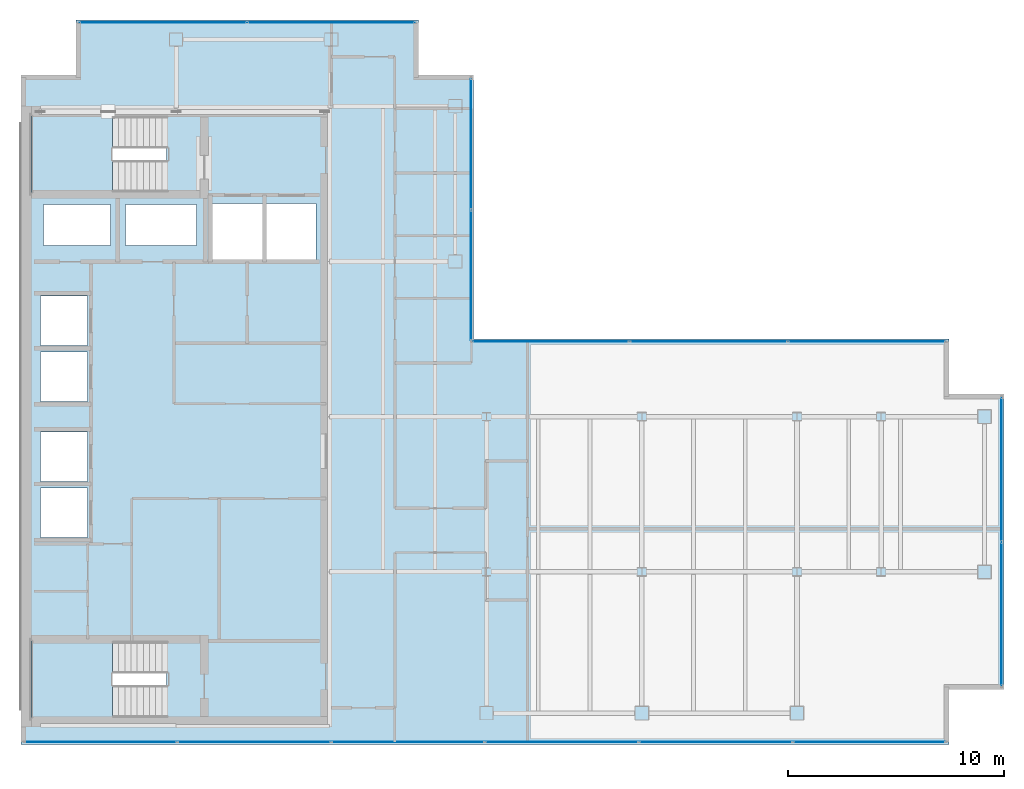
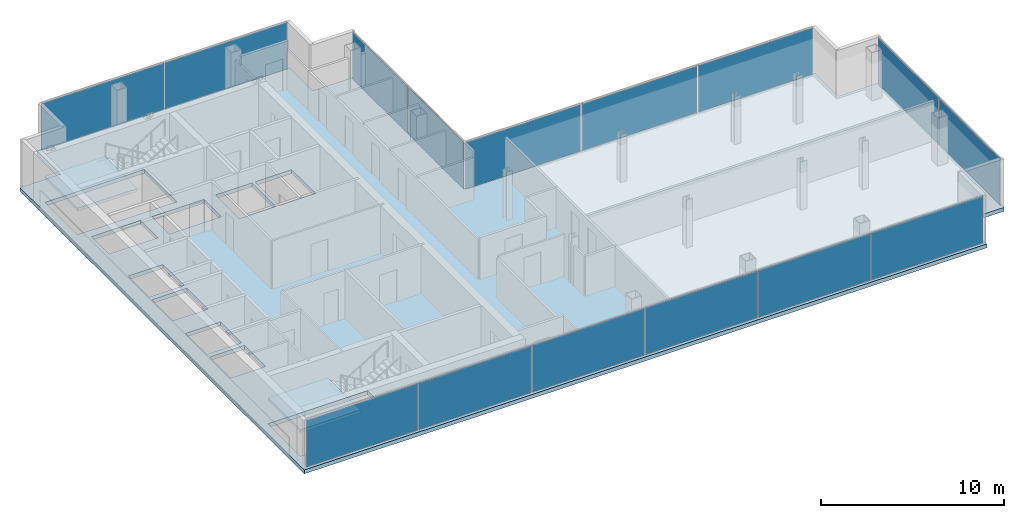
# One storey, part 19 of 23: 15 plates, 3 slabs, 10 openings, 7 elements without a shape of their own.
"""IFC4 building model written with IfcOpenShell, lengths in metres."""

from ifc_helpers import new_model, si_unit, direction, frame, origin, origin_2d, place, context, subcontext, project, spatial, polyline, rectangle, outline, extrude, material, layer, layer_set, type_object, element, aggregate, save


model = new_model("IFC4")

# Units and contexts
model_context = context("Model", 3, precision=1e-05, world=origin(), true_north=direction((0.0, 1.0)))
body_context = subcontext(model_context, "Body", "Model", "MODEL_VIEW")
ifc_project = project(units=[si_unit("LENGTHUNIT", "METRE"), si_unit("AREAUNIT", "SQUARE_METRE"), si_unit("VOLUMEUNIT", "CUBIC_METRE"), si_unit("PLANEANGLEUNIT", "RADIAN"), si_unit("MASSUNIT", "GRAM", prefix="KILO")], contexts=[model_context])

# Site, building, storey
site_placement = place(None, origin())
site = spatial("IfcSite", under=ifc_project, at=site_placement, CompositionType="ELEMENT")
building_placement = place(site_placement, origin())
building = spatial("IfcBuilding", under=site, at=building_placement, Name="Cobrela Telecom Tower", CompositionType="ELEMENT")
storey_placement = place(building_placement, frame((0.0, 0.0, 251.64990234375)))
storey = spatial("IfcBuildingStorey", under=building, at=storey_placement, Name="L65", CompositionType="ELEMENT", Elevation=251.64990234375)

# Curtain wall, plates
ifc_material_1 = material(Name="Anodized Bronze Aluminium 6063-T6", Category="aluminium")
curtain_wall_type = type_object("IfcCurtainWallType", Name="CW-SYS-OFF-HI", PredefinedType="USERDEFINED", material=ifc_material_1)
curtain_wall_1_placement = place(storey_placement, origin())
curtain_wall_1 = element("IfcCurtainWall", 1, at=curtain_wall_1_placement, inside=storey, type_object=curtain_wall_type, Name="L65 Unitised Bronze Curtain Wall 05", ObjectType="UNITISED CURTAIN WALL", PredefinedType="USERDEFINED")
ifc_material_2 = material(Name="Solar-Control Bronze Low-E Glass", Category="glass")
ifc_layer_1 = layer(ifc_material_2, 0.030029296875)
ifc_layer_set_1 = layer_set([ifc_layer_1], Name="Solar-Control Bronze Low-E Glass")
plate_type = type_object("IfcPlateType", Name="CW-SYS-OFF-HI-PNL", PredefinedType="CURTAIN_PANEL", material=ifc_layer_set_1)
plate_1_placement = place(storey_placement, frame((6.6025390625, 39.8798828125, 0.06494140625), z_axis=(0.0, 0.0, 1.0), x_axis=(1.0, 0.0, 0.0)))
plate_1 = element("IfcPlate", 2, at=plate_1_placement, type_object=plate_type, Name="CW-OFF-HI panel 1.1", PredefinedType="CURTAIN_PANEL", context=body_context, shape_type="SweptSolid", body=[
    extrude(rectangle(XDim=7.72509765625, YDim=0.030029296875, at=origin_2d()), origin(), (0.0, 0.0, 1.0), 3.110107421875),
])
plate_2_placement = place(storey_placement, frame((14.3974609375, 39.8798828125, 0.06494140625), z_axis=(0.0, 0.0, 1.0), x_axis=(1.0, 0.0, 0.0)))
plate_2 = element("IfcPlate", 3, at=plate_2_placement, type_object=plate_type, Name="CW-OFF-HI panel 2.1", PredefinedType="CURTAIN_PANEL", context=body_context, shape_type="SweptSolid", body=[
    extrude(rectangle(XDim=7.72509765625, YDim=0.030029296875, at=origin_2d()), origin(), (0.0, 0.0, 1.0), 3.110107421875),
])
aggregate(curtain_wall_1, [plate_1, plate_2])

curtain_wall_2_placement = place(storey_placement, origin())
curtain_wall_2 = element("IfcCurtainWall", 4, at=curtain_wall_2_placement, inside=storey, type_object=curtain_wall_type, Name="L65 Unitised Bronze Curtain Wall 08", ObjectType="UNITISED CURTAIN WALL", PredefinedType="USERDEFINED")
plate_3_placement = place(storey_placement, frame((20.8798828125, 34.25, 0.06494140625), z_axis=(0.0, 0.0, 1.0), x_axis=(0.0, -1.0, 0.0)))
plate_3 = element("IfcPlate", 5, at=plate_3_placement, type_object=plate_type, Name="CW-OFF-HI panel 1.1", PredefinedType="CURTAIN_PANEL", context=body_context, shape_type="SweptSolid", body=[
    extrude(rectangle(XDim=6.02001953125, YDim=0.030029296875, at=origin_2d()), origin(), (0.0, 0.0, 1.0), 3.110107421875),
])
plate_4_placement = place(storey_placement, frame((20.8798828125, 28.159912109375, 0.06494140625), z_axis=(0.0, 0.0, 1.0), x_axis=(0.0, -1.0, 0.0)))
plate_4 = element("IfcPlate", 6, at=plate_4_placement, type_object=plate_type, Name="CW-OFF-HI panel 2.1", PredefinedType="CURTAIN_PANEL", context=body_context, shape_type="SweptSolid", body=[
    extrude(rectangle(XDim=6.02001953125, YDim=0.030029296875, at=origin_2d()), origin(), (0.0, 0.0, 1.0), 3.110107421875),
])
aggregate(curtain_wall_2, [plate_3, plate_4])

curtain_wall_3_placement = place(storey_placement, origin())
curtain_wall_3 = element("IfcCurtainWall", 7, at=curtain_wall_3_placement, inside=storey, type_object=curtain_wall_type, Name="L65 Unitised Bronze Curtain Wall 09", ObjectType="UNITISED CURTAIN WALL", PredefinedType="USERDEFINED")
plate_5_placement = place(storey_placement, frame((24.572509765625, 25.080078125, 0.06494140625), z_axis=(0.0, 0.0, 1.0), x_axis=(1.0, 0.0, 0.0)))
plate_5 = element("IfcPlate", 8, at=plate_5_placement, type_object=plate_type, Name="CW-OFF-HI panel 1.1", PredefinedType="CURTAIN_PANEL", context=body_context, shape_type="SweptSolid", body=[
    extrude(rectangle(XDim=7.2451171875, YDim=0.030029296875, at=origin_2d()), origin(), (0.0, 0.0, 1.0), 3.110107421875),
])
plate_6_placement = place(storey_placement, frame((31.905029296875, 25.080078125, 0.06494140625), z_axis=(0.0, 0.0, 1.0), x_axis=(1.0, 0.0, 0.0)))
plate_6 = element("IfcPlate", 9, at=plate_6_placement, type_object=plate_type, Name="CW-OFF-HI panel 2.1", PredefinedType="CURTAIN_PANEL", context=body_context, shape_type="SweptSolid", body=[
    extrude(rectangle(XDim=7.280029296875, YDim=0.030029296875, at=origin_2d()), origin(), (0.0, 0.0, 1.0), 3.110107421875),
])
plate_7_placement = place(storey_placement, frame((39.237548828125, 25.080078125, 0.06494140625), z_axis=(0.0, 0.0, 1.0), x_axis=(1.0, 0.0, 0.0)))
plate_7 = element("IfcPlate", 10, at=plate_7_placement, type_object=plate_type, Name="CW-OFF-HI panel 3.1", PredefinedType="CURTAIN_PANEL", context=body_context, shape_type="SweptSolid", body=[
    extrude(rectangle(XDim=7.2451171875, YDim=0.030029296875, at=origin_2d()), origin(), (0.0, 0.0, 1.0), 3.110107421875),
])
aggregate(curtain_wall_3, [plate_5, plate_6, plate_7])

curtain_wall_4_placement = place(storey_placement, origin())
curtain_wall_4 = element("IfcCurtainWall", 11, at=curtain_wall_4_placement, inside=storey, type_object=curtain_wall_type, Name="L65 Unitised Bronze Curtain Wall 12", ObjectType="UNITISED CURTAIN WALL", PredefinedType="USERDEFINED")
plate_8_placement = place(storey_placement, frame((45.47998046875, 19.1474609375, 0.06494140625), z_axis=(0.0, 0.0, 1.0), x_axis=(0.0, -1.0, 0.0)))
plate_8 = element("IfcPlate", 12, at=plate_8_placement, type_object=plate_type, Name="CW-OFF-HI panel 1.1", PredefinedType="CURTAIN_PANEL", context=body_context, shape_type="SweptSolid", body=[
    extrude(rectangle(XDim=6.625, YDim=0.030029296875, at=origin_2d()), origin(), (0.0, 0.0, 1.0), 3.110107421875),
])
plate_9_placement = place(storey_placement, frame((45.47998046875, 12.452392578125, 0.06494140625), z_axis=(0.0, 0.0, 1.0), x_axis=(0.0, -1.0, 0.0)))
plate_9 = element("IfcPlate", 13, at=plate_9_placement, type_object=plate_type, Name="CW-OFF-HI panel 2.1", PredefinedType="CURTAIN_PANEL", context=body_context, shape_type="SweptSolid", body=[
    extrude(rectangle(XDim=6.625, YDim=0.030029296875, at=origin_2d()), origin(), (0.0, 0.0, 1.0), 3.110107421875),
])
aggregate(curtain_wall_4, [plate_8, plate_9])

curtain_wall_5_placement = place(storey_placement, origin())
curtain_wall_5 = element("IfcCurtainWall", 14, at=curtain_wall_5_placement, inside=storey, type_object=curtain_wall_type, Name="L65 Unitised Bronze Curtain Wall 15", ObjectType="UNITISED CURTAIN WALL", PredefinedType="USERDEFINED")
plate_10_placement = place(storey_placement, frame((39.344970703125, 6.52001953125, 0.06494140625), z_axis=(0.0, 0.0, 1.0), x_axis=(-1.0, 0.0, 0.0)))
plate_10 = element("IfcPlate", 15, at=plate_10_placement, type_object=plate_type, Name="CW-OFF-HI panel 1.1", PredefinedType="CURTAIN_PANEL", context=body_context, shape_type="SweptSolid", body=[
    extrude(rectangle(XDim=7.030029296875, YDim=0.030029296875, at=origin_2d()), origin(), (0.0, 0.0, 1.0), 3.110107421875),
])
plate_11_placement = place(storey_placement, frame((32.2275390625, 6.52001953125, 0.06494140625), z_axis=(0.0, 0.0, 1.0), x_axis=(-1.0, 0.0, 0.0)))
plate_11 = element("IfcPlate", 16, at=plate_11_placement, type_object=plate_type, Name="CW-OFF-HI panel 2.1", PredefinedType="CURTAIN_PANEL", context=body_context, shape_type="SweptSolid", body=[
    extrude(rectangle(XDim=7.06494140625, YDim=0.030029296875, at=origin_2d()), origin(), (0.0, 0.0, 1.0), 3.110107421875),
])
plate_12_placement = place(storey_placement, frame((25.092529296875, 6.52001953125, 0.06494140625), z_axis=(0.0, 0.0, 1.0), x_axis=(-1.0, 0.0, 0.0)))
plate_12 = element("IfcPlate", 17, at=plate_12_placement, type_object=plate_type, Name="CW-OFF-HI panel 3.1", PredefinedType="CURTAIN_PANEL", context=body_context, shape_type="SweptSolid", body=[
    extrude(rectangle(XDim=7.06494140625, YDim=0.030029296875, at=origin_2d()), origin(), (0.0, 0.0, 1.0), 3.110107421875),
])
plate_13_placement = place(storey_placement, frame((17.95751953125, 6.52001953125, 0.06494140625), z_axis=(0.0, 0.0, 1.0), x_axis=(-1.0, 0.0, 0.0)))
plate_13 = element("IfcPlate", 18, at=plate_13_placement, type_object=plate_type, Name="CW-OFF-HI panel 4.1", PredefinedType="CURTAIN_PANEL", context=body_context, shape_type="SweptSolid", body=[
    extrude(rectangle(XDim=7.06494140625, YDim=0.030029296875, at=origin_2d()), origin(), (0.0, 0.0, 1.0), 3.110107421875),
])
plate_14_placement = place(storey_placement, frame((10.822509765625, 6.52001953125, 0.06494140625), z_axis=(0.0, 0.0, 1.0), x_axis=(-1.0, 0.0, 0.0)))
plate_14 = element("IfcPlate", 19, at=plate_14_placement, type_object=plate_type, Name="CW-OFF-HI panel 5.1", PredefinedType="CURTAIN_PANEL", context=body_context, shape_type="SweptSolid", body=[
    extrude(rectangle(XDim=7.06494140625, YDim=0.030029296875, at=origin_2d()), origin(), (0.0, 0.0, 1.0), 3.110107421875),
])
plate_15_placement = place(storey_placement, frame((3.705078125, 6.52001953125, 0.06494140625), z_axis=(0.0, 0.0, 1.0), x_axis=(-1.0, 0.0, 0.0)))
plate_15 = element("IfcPlate", 20, at=plate_15_placement, type_object=plate_type, Name="CW-OFF-HI panel 6.1", PredefinedType="CURTAIN_PANEL", context=body_context, shape_type="SweptSolid", body=[
    extrude(rectangle(XDim=7.030029296875, YDim=0.030029296875, at=origin_2d()), origin(), (0.0, 0.0, 1.0), 3.110107421875),
])
aggregate(curtain_wall_5, [plate_10, plate_11, plate_12, plate_13, plate_14, plate_15])

# Slab, openings
ifc_material_3 = material(Name="Concrete C40/50", Category="concrete")
ifc_layer_2 = layer(ifc_material_3, 0.260009765625)
ifc_layer_set_2 = layer_set([ifc_layer_2], Name="Concrete C40/50")
slab_type_1 = type_object("IfcSlabType", Name="SLAB-FLR-260", PredefinedType="FLOOR", material=ifc_layer_set_2)
slab_1_placement = place(storey_placement, frame((0.0, 0.0, -0.260009765625)))
slab_1 = element("IfcSlab", 21, at=slab_1_placement, inside=storey, type_object=slab_type_1, Name="L65 Structural Floor Slab", PredefinedType="FLOOR", context=body_context, shape_type="SweptSolid", body=[
    extrude(outline(polyline([(0.0, 6.39990234375), (43.050048828125, 6.39990234375), (43.050048828125, 8.949951171875), (45.60009765625, 8.949951171875), (45.60009765625, 22.64990234375), (43.050048828125, 22.64990234375), (43.050048828125, 25.199951171875), (21.0, 25.199951171875), (21.0, 37.449951171875), (18.449951171875, 37.449951171875), (18.449951171875, 40.0), (2.550048828125, 40.0), (2.550048828125, 37.449951171875), (0.0, 37.449951171875), (0.0, 6.39990234375)])), origin(), (0.0, 0.0, 1.0), 0.260009765625),
])
opening_1_placement = place(slab_1_placement, frame((0.0, 0.0, -0.02001953125)))
element("IfcOpeningElement", 22, at=opening_1_placement, cuts=slab_1, Name="Slab Shaft Opening SLAB-L65-MAIN.1", PredefinedType="OPENING", context=body_context, shape_type="SweptSolid", body=[
    extrude(outline(polyline([(8.89990234375, 28.89990234375), (11.199951171875, 28.89990234375), (11.199951171875, 31.5), (8.89990234375, 31.5), (8.89990234375, 28.89990234375)])), origin(), (0.0, 0.0, 1.0), 0.300048828125),
])
opening_2_placement = place(slab_1_placement, frame((0.0, 0.0, -0.02001953125)))
element("IfcOpeningElement", 23, at=opening_2_placement, cuts=slab_1, Name="Slab Shaft Opening SLAB-L65-MAIN.2", PredefinedType="OPENING", context=body_context, shape_type="SweptSolid", body=[
    extrude(outline(polyline([(11.39990234375, 28.89990234375), (13.699951171875, 28.89990234375), (13.699951171875, 31.5), (11.39990234375, 31.5), (11.39990234375, 28.89990234375)])), origin(), (0.0, 0.0, 1.0), 0.300048828125),
])
opening_3_placement = place(slab_1_placement, frame((0.0, 0.0, -0.02001953125)))
element("IfcOpeningElement", 24, at=opening_3_placement, cuts=slab_1, Name="Slab Shaft Opening SLAB-L65-MAIN.3", PredefinedType="OPENING", context=body_context, shape_type="SweptSolid", body=[
    extrude(outline(polyline([(0.89990234375, 16.0), (3.10009765625, 16.0), (3.10009765625, 18.300048828125), (0.89990234375, 18.300048828125), (0.89990234375, 16.0)])), origin(), (0.0, 0.0, 1.0), 0.300048828125),
])
opening_4_placement = place(slab_1_placement, frame((0.0, 0.0, -0.02001953125)))
element("IfcOpeningElement", 25, at=opening_4_placement, cuts=slab_1, Name="Slab Shaft Opening SLAB-L65-MAIN.4", PredefinedType="OPENING", context=body_context, shape_type="SweptSolid", body=[
    extrude(outline(polyline([(0.89990234375, 18.60009765625), (3.10009765625, 18.60009765625), (3.10009765625, 20.89990234375), (0.89990234375, 20.89990234375), (0.89990234375, 18.60009765625)])), origin(), (0.0, 0.0, 1.0), 0.300048828125),
])
opening_5_placement = place(slab_1_placement, frame((0.0, 0.0, -0.02001953125)))
element("IfcOpeningElement", 26, at=opening_5_placement, cuts=slab_1, Name="Slab Shaft Opening SLAB-L65-MAIN.5", PredefinedType="OPENING", context=body_context, shape_type="SweptSolid", body=[
    extrude(outline(polyline([(0.89990234375, 22.300048828125), (3.10009765625, 22.300048828125), (3.10009765625, 24.60009765625), (0.89990234375, 24.60009765625), (0.89990234375, 22.300048828125)])), origin(), (0.0, 0.0, 1.0), 0.300048828125),
])
opening_6_placement = place(slab_1_placement, frame((0.0, 0.0, -0.02001953125)))
element("IfcOpeningElement", 27, at=opening_6_placement, cuts=slab_1, Name="Slab Shaft Opening SLAB-L65-MAIN.6", PredefinedType="OPENING", context=body_context, shape_type="SweptSolid", body=[
    extrude(outline(polyline([(0.89990234375, 24.89990234375), (3.10009765625, 24.89990234375), (3.10009765625, 27.199951171875), (0.89990234375, 27.199951171875), (0.89990234375, 24.89990234375)])), origin(), (0.0, 0.0, 1.0), 0.300048828125),
])
opening_7_placement = place(slab_1_placement, frame((0.0, 0.0, -0.02001953125)))
element("IfcOpeningElement", 28, at=opening_7_placement, cuts=slab_1, Name="Slab Shaft Opening SLAB-L65-MAIN.7", PredefinedType="OPENING", context=body_context, shape_type="SweptSolid", body=[
    extrude(outline(polyline([(1.050048828125, 29.550048828125), (4.14990234375, 29.550048828125), (4.14990234375, 31.449951171875), (1.050048828125, 31.449951171875), (1.050048828125, 29.550048828125)])), origin(), (0.0, 0.0, 1.0), 0.300048828125),
])
opening_8_placement = place(slab_1_placement, frame((0.0, 0.0, -0.02001953125)))
element("IfcOpeningElement", 29, at=opening_8_placement, cuts=slab_1, Name="Slab Shaft Opening SLAB-L65-MAIN.8", PredefinedType="OPENING", context=body_context, shape_type="SweptSolid", body=[
    extrude(outline(polyline([(4.85009765625, 29.550048828125), (8.14990234375, 29.550048828125), (8.14990234375, 31.449951171875), (4.85009765625, 31.449951171875), (4.85009765625, 29.550048828125)])), origin(), (0.0, 0.0, 1.0), 0.300048828125),
])
opening_9_placement = place(slab_1_placement, frame((0.0, 0.0, -0.02001953125)))
element("IfcOpeningElement", 30, at=opening_9_placement, cuts=slab_1, Name="Slab Shaft Opening SLAB-L65-MAIN.9", PredefinedType="OPENING", context=body_context, shape_type="SweptSolid", body=[
    extrude(outline(polyline([(6.7548828125, 35.550048828125), (0.47998046875, 35.550048828125), (0.47998046875, 32.0), (6.7548828125, 32.0), (6.7548828125, 35.550048828125)])), origin(), (0.0, 0.0, 1.0), 0.300048828125),
])
opening_10_placement = place(slab_1_placement, frame((0.0, 0.0, -0.02001953125)))
element("IfcOpeningElement", 31, at=opening_10_placement, cuts=slab_1, Name="Slab Shaft Opening SLAB-L65-MAIN.10", PredefinedType="OPENING", context=body_context, shape_type="SweptSolid", body=[
    extrude(outline(polyline([(6.7548828125, 11.199951171875), (0.47998046875, 11.199951171875), (0.47998046875, 7.64990234375), (6.7548828125, 7.64990234375), (6.7548828125, 11.199951171875)])), origin(), (0.0, 0.0, 1.0), 0.300048828125),
])

# Stair, slab
stair_type = type_object("IfcStairType", Name="STAIR-CORE", PredefinedType="HALF_TURN_STAIR", material=ifc_material_3)
stair_1_placement = place(storey_placement, origin())
stair_1 = element("IfcStair", 32, at=stair_1_placement, inside=storey, type_object=stair_type, Name="L65 Smokeproof Exit Stair ST1", PredefinedType="HALF_TURN_STAIR")
ifc_layer_3 = layer(ifc_material_3, 0.199951171875)
ifc_layer_set_3 = layer_set([ifc_layer_3], Name="Concrete C40/50")
slab_type_2 = type_object("IfcSlabType", Name="SLAB-LAND-200", PredefinedType="LANDING", material=ifc_layer_set_3)
slab_2_placement = place(storey_placement, frame((0.0, 0.0, 1.550048828125)))
slab_2 = element("IfcSlab", 33, at=slab_2_placement, type_object=slab_type_2, Name="ST1 landing 1", PredefinedType="LANDING", context=body_context, shape_type="SweptSolid", body=[
    extrude(outline(polyline([(4.2548828125, 35.550048828125), (0.47998046875, 35.550048828125), (0.47998046875, 32.0), (4.2548828125, 32.0), (4.2548828125, 35.550048828125)])), origin(), (0.0, 0.0, 1.0), 0.199951171875),
])
aggregate(stair_1, [slab_2])

stair_2_placement = place(storey_placement, origin())
stair_2 = element("IfcStair", 34, at=stair_2_placement, inside=storey, type_object=stair_type, Name="L65 Smokeproof Exit Stair ST2", PredefinedType="HALF_TURN_STAIR")
slab_3_placement = place(storey_placement, frame((0.0, 0.0, 1.550048828125)))
slab_3 = element("IfcSlab", 35, at=slab_3_placement, type_object=slab_type_2, Name="ST2 landing 1", PredefinedType="LANDING", context=body_context, shape_type="SweptSolid", body=[
    extrude(outline(polyline([(4.2548828125, 11.199951171875), (0.47998046875, 11.199951171875), (0.47998046875, 7.64990234375), (4.2548828125, 7.64990234375), (4.2548828125, 11.199951171875)])), origin(), (0.0, 0.0, 1.0), 0.199951171875),
])
aggregate(stair_2, [slab_3])

save(model, "model.ifc")
